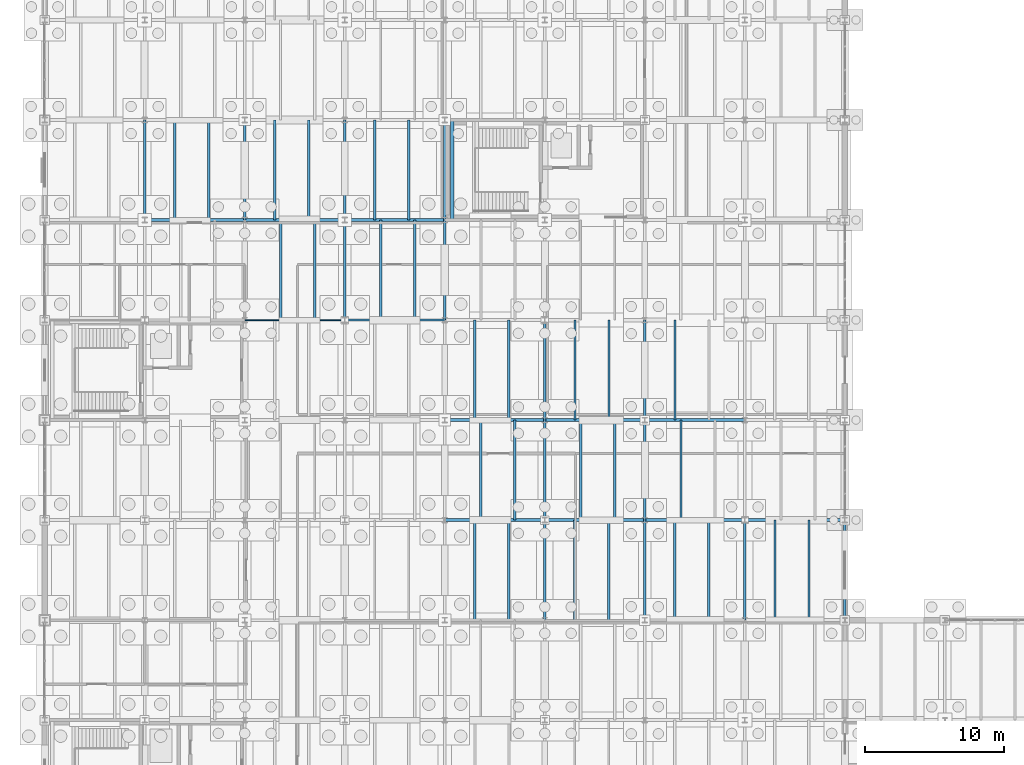
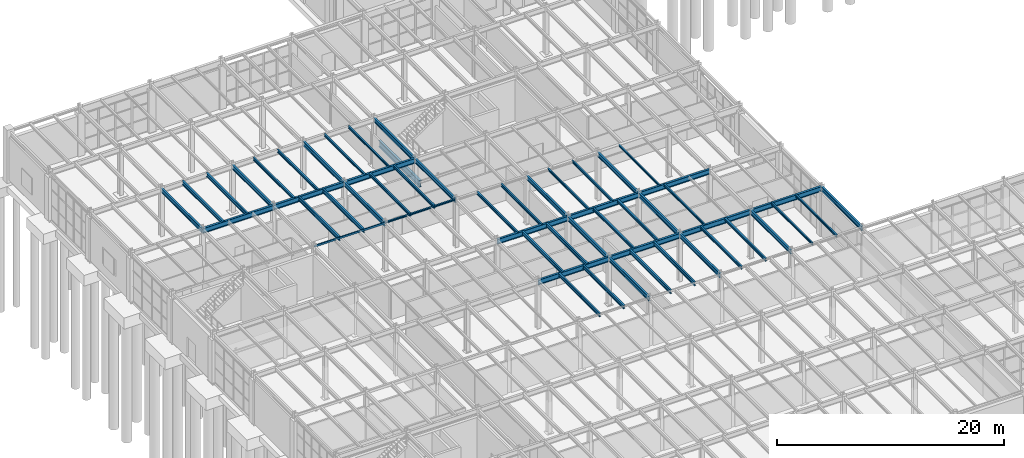
# One storey, part 64 of 293: 55 beams.
"""IFC4 building model written with IfcOpenShell, lengths in metres."""

from ifc_helpers import new_model, si_unit, direction, frame, origin, origin_2d, place, context, subcontext, project, spatial, hollow_rectangle, i_section, extrude, material, material_profile, profile_set, type_object, element, save


model = new_model("IFC4")

# Units and contexts
model_context = context("Model", 3, precision=1e-05, world=origin(), true_north=direction((0.0, 1.0)))
body_context = subcontext(model_context, "Body", "Model", "MODEL_VIEW")
ifc_project = project(units=[si_unit("LENGTHUNIT", "METRE"), si_unit("AREAUNIT", "SQUARE_METRE"), si_unit("VOLUMEUNIT", "CUBIC_METRE"), si_unit("PLANEANGLEUNIT", "RADIAN"), si_unit("MASSUNIT", "GRAM", prefix="KILO")], contexts=[model_context])

# Site, building, storey
site_placement = place(None, origin())
site = spatial("IfcSite", under=ifc_project, at=site_placement, CompositionType="ELEMENT")
building_placement = place(site_placement, origin())
building = spatial("IfcBuilding", under=site, at=building_placement, Name="Kemerveld Promenade Tramway Depot", CompositionType="ELEMENT")
storey_placement = place(building_placement, origin())
storey = spatial("IfcBuildingStorey", under=building, at=storey_placement, Name="L00", CompositionType="ELEMENT", Elevation=0.0)

# Beams
ifc_material = material(Name="Steel S355", Category="steel")
ifc_material_profile_1 = material_profile(ifc_material, i_section(OverallWidth=0.25439453125, OverallDepth=0.6875, WebThickness=0.01318359375, FlangeThickness=0.02099609375, FilletRadius=0.01513671875, at=origin_2d()), Name="686x254x152 UB")
ifc_profile_set_1 = profile_set([ifc_material_profile_1], Name="Steel S355")
beam_type_1 = type_object("IfcBeamType", Name="BM-G03", PredefinedType="BEAM", material=ifc_profile_set_1)
beam_1_placement = place(storey_placement, frame((29.35009765625, 57.60009765625, 2.15625), z_axis=(0.0, 1.0, 0.0), x_axis=(-1.0, 0.0, 0.0)))
element("IfcBeam", 1, at=beam_1_placement, inside=storey, type_object=beam_type_1, Name="BM-HL-ST-03-L00-W", PredefinedType="BEAM", context=body_context, shape_type="SweptSolid", body=[
    extrude(i_section(OverallWidth=0.25439453125, OverallDepth=0.6875, WebThickness=0.01318359375, FlangeThickness=0.02099609375, FilletRadius=0.01513671875, at=origin_2d()), origin(), (0.0, 0.0, 1.0), 7.199951171875),
])
ifc_material_profile_2 = material_profile(ifc_material, i_section(OverallWidth=0.2099609375, OverallDepth=0.53662109375, WebThickness=0.0107421875, FlangeThickness=0.017333984375, FilletRadius=0.0126953125, at=origin_2d()), Name="533x210x101 UB")
ifc_profile_set_2 = profile_set([ifc_material_profile_2], Name="Steel S355")
beam_type_2 = type_object("IfcBeamType", Name="BM-G05", PredefinedType="BEAM", material=ifc_profile_set_2)
for number, where, z_axis, x_axis, name in (
    (2, (28.800048828125, 36.0, 4.881591796875), (1.0, 0.0, 0.0), (0.0, 1.0, 0.0), "BMX-L00-05-06-F"),
    (3, (36.0, 36.0, 4.881591796875), (1.0, 0.0, 0.0), (0.0, 1.0, 0.0), "BMX-L00-06-07-F"),
    (4, (43.199951171875, 36.0, 4.881591796875), (1.0, 0.0, 0.0), (0.0, 1.0, 0.0), "BMX-L00-07-08-F"),
):
    element("IfcBeam", number, at=place(storey_placement, frame(where, z_axis=z_axis, x_axis=x_axis)), inside=storey, type_object=beam_type_2, Name=name, PredefinedType="BEAM", context=body_context, shape_type="SweptSolid", body=[
        extrude(i_section(OverallWidth=0.2099609375, OverallDepth=0.53662109375, WebThickness=0.0107421875, FlangeThickness=0.017333984375, FilletRadius=0.0126953125, at=origin_2d()), origin(), (0.0, 0.0, 1.0), 7.199951171875),
    ])
beam_2_placement = place(storey_placement, frame((50.39990234375, 36.0, 4.881591796875), z_axis=(1.0, 0.0, 0.0), x_axis=(0.0, 1.0, 0.0)))
element("IfcBeam", 5, at=beam_2_placement, inside=storey, type_object=beam_type_2, Name="BMX-L00-08-09-F", PredefinedType="BEAM", context=body_context, shape_type="SweptSolid", body=[
    extrude(i_section(OverallWidth=0.2099609375, OverallDepth=0.53662109375, WebThickness=0.0107421875, FlangeThickness=0.017333984375, FilletRadius=0.0126953125, at=origin_2d()), origin(), (0.0, 0.0, 1.0), 7.2001953125),
])
for number, where, z_axis, x_axis, name in (
    (6, (28.800048828125, 43.199951171875, 4.881591796875), (1.0, 0.0, 0.0), (0.0, 1.0, 0.0), "BMX-L00-05-06-G"),
    (7, (36.0, 43.199951171875, 4.881591796875), (1.0, 0.0, 0.0), (0.0, 1.0, 0.0), "BMX-L00-06-07-G"),
    (8, (43.199951171875, 43.199951171875, 4.881591796875), (1.0, 0.0, 0.0), (0.0, 1.0, 0.0), "BMX-L00-07-08-G"),
    (9, (7.199951171875, 57.60009765625, 4.881591796875), (1.0, 0.0, 0.0), (0.0, 1.0, 0.0), "BMX-L00-02-03-J"),
):
    element("IfcBeam", number, at=place(storey_placement, frame(where, z_axis=z_axis, x_axis=x_axis)), inside=storey, type_object=beam_type_2, Name=name, PredefinedType="BEAM", context=body_context, shape_type="SweptSolid", body=[
        extrude(i_section(OverallWidth=0.2099609375, OverallDepth=0.53662109375, WebThickness=0.0107421875, FlangeThickness=0.017333984375, FilletRadius=0.0126953125, at=origin_2d()), origin(), (0.0, 0.0, 1.0), 7.199951171875),
    ])
beam_3_placement = place(storey_placement, frame((14.39990234375, 57.60009765625, 4.881591796875), z_axis=(1.0, 0.0, 0.0), x_axis=(0.0, 1.0, 0.0)))
element("IfcBeam", 10, at=beam_3_placement, inside=storey, type_object=beam_type_2, Name="BMX-L00-03-04-J", PredefinedType="BEAM", context=body_context, shape_type="SweptSolid", body=[
    extrude(i_section(OverallWidth=0.2099609375, OverallDepth=0.53662109375, WebThickness=0.0107421875, FlangeThickness=0.017333984375, FilletRadius=0.0126953125, at=origin_2d()), origin(), (0.0, 0.0, 1.0), 7.2001953125),
])
beam_4_placement = place(storey_placement, frame((21.60009765625, 57.60009765625, 4.881591796875), z_axis=(1.0, 0.0, 0.0), x_axis=(0.0, 1.0, 0.0)))
element("IfcBeam", 11, at=beam_4_placement, inside=storey, type_object=beam_type_2, Name="BMX-L00-04-05-J", PredefinedType="BEAM", context=body_context, shape_type="SweptSolid", body=[
    extrude(i_section(OverallWidth=0.2099609375, OverallDepth=0.53662109375, WebThickness=0.0107421875, FlangeThickness=0.017333984375, FilletRadius=0.0126953125, at=origin_2d()), origin(), (0.0, 0.0, 1.0), 7.199951171875),
])
ifc_material_profile_3 = material_profile(ifc_material, i_section(OverallWidth=0.19140625, OverallDepth=0.4599609375, WebThickness=0.010009765625, FlangeThickness=0.01611328125, FilletRadius=0.01025390625, at=origin_2d()), Name="457x191x82 UB")
ifc_profile_set_3 = profile_set([ifc_material_profile_3], Name="Steel S355")
beam_type_3 = type_object("IfcBeamType", Name="BM-G06", PredefinedType="BEAM", material=ifc_profile_set_3)
for number, where, z_axis, x_axis, name in (
    (12, (7.199951171875, 57.60009765625, 4.919921875), (0.0, 1.0, 0.0), (-1.0, 0.0, 0.0), "BMY-L00-02-J-K"),
    (13, (14.39990234375, 57.60009765625, 4.919921875), (0.0, 1.0, 0.0), (-1.0, 0.0, 0.0), "BMY-L00-03-J-K"),
):
    element("IfcBeam", number, at=place(storey_placement, frame(where, z_axis=z_axis, x_axis=x_axis)), inside=storey, type_object=beam_type_3, Name=name, PredefinedType="BEAM", context=body_context, shape_type="SweptSolid", body=[
        extrude(i_section(OverallWidth=0.19140625, OverallDepth=0.4599609375, WebThickness=0.010009765625, FlangeThickness=0.01611328125, FilletRadius=0.01025390625, at=origin_2d()), origin(), (0.0, 0.0, 1.0), 7.199951171875),
    ])
beam_5_placement = place(storey_placement, frame((21.60009765625, 50.39990234375, 4.919921875), z_axis=(0.0, 1.0, 0.0), x_axis=(-1.0, 0.0, 0.0)))
element("IfcBeam", 14, at=beam_5_placement, inside=storey, type_object=beam_type_3, Name="BMY-L00-04-H-J", PredefinedType="BEAM", context=body_context, shape_type="SweptSolid", body=[
    extrude(i_section(OverallWidth=0.19140625, OverallDepth=0.4599609375, WebThickness=0.010009765625, FlangeThickness=0.01611328125, FilletRadius=0.01025390625, at=origin_2d()), origin(), (0.0, 0.0, 1.0), 7.2001953125),
])
beam_6_placement = place(storey_placement, frame((21.60009765625, 57.60009765625, 4.919921875), z_axis=(0.0, 1.0, 0.0), x_axis=(-1.0, 0.0, 0.0)))
element("IfcBeam", 15, at=beam_6_placement, inside=storey, type_object=beam_type_3, Name="BMY-L00-04-J-K", PredefinedType="BEAM", context=body_context, shape_type="SweptSolid", body=[
    extrude(i_section(OverallWidth=0.19140625, OverallDepth=0.4599609375, WebThickness=0.010009765625, FlangeThickness=0.01611328125, FilletRadius=0.01025390625, at=origin_2d()), origin(), (0.0, 0.0, 1.0), 7.199951171875),
])
beam_7_placement = place(storey_placement, frame((28.800048828125, 50.39990234375, 4.919921875), z_axis=(0.0, 1.0, 0.0), x_axis=(-1.0, 0.0, 0.0)))
element("IfcBeam", 16, at=beam_7_placement, inside=storey, type_object=beam_type_3, Name="BMY-L00-05-H-J", PredefinedType="BEAM", context=body_context, shape_type="SweptSolid", body=[
    extrude(i_section(OverallWidth=0.19140625, OverallDepth=0.4599609375, WebThickness=0.010009765625, FlangeThickness=0.01611328125, FilletRadius=0.01025390625, at=origin_2d()), origin(), (0.0, 0.0, 1.0), 7.2001953125),
])
for number, where, z_axis, x_axis, name in (
    (17, (28.800048828125, 57.60009765625, 4.919921875), (0.0, 1.0, 0.0), (-1.0, 0.0, 0.0), "BMY-L00-05-J-K"),
    (18, (36.0, 28.800048828125, 4.919921875), (0.0, 1.0, 0.0), (-1.0, 0.0, 0.0), "BMY-L00-06-E-F"),
    (19, (36.0, 36.0, 4.919921875), (0.0, 1.0, 0.0), (-1.0, 0.0, 0.0), "BMY-L00-06-F-G"),
    (20, (36.0, 43.199951171875, 4.919921875), (0.0, 1.0, 0.0), (-1.0, 0.0, 0.0), "BMY-L00-06-G-H"),
    (21, (43.199951171875, 28.800048828125, 4.919921875), (0.0, 1.0, 0.0), (-1.0, 0.0, 0.0), "BMY-L00-07-E-F"),
    (22, (43.199951171875, 36.0, 4.919921875), (0.0, 1.0, 0.0), (-1.0, 0.0, 0.0), "BMY-L00-07-F-G"),
    (23, (43.199951171875, 43.199951171875, 4.919921875), (0.0, 1.0, 0.0), (-1.0, 0.0, 0.0), "BMY-L00-07-G-H"),
    (24, (50.39990234375, 28.800048828125, 4.919921875), (0.0, 1.0, 0.0), (-1.0, 0.0, 0.0), "BMY-L00-08-E-F"),
    (25, (57.60009765625, 28.800048828125, 4.919921875), (0.0, 1.0, 0.0), (-1.0, 0.0, 0.0), "BMY-L00-09-E-F"),
):
    element("IfcBeam", number, at=place(storey_placement, frame(where, z_axis=z_axis, x_axis=x_axis)), inside=storey, type_object=beam_type_3, Name=name, PredefinedType="BEAM", context=body_context, shape_type="SweptSolid", body=[
        extrude(i_section(OverallWidth=0.19140625, OverallDepth=0.4599609375, WebThickness=0.010009765625, FlangeThickness=0.01611328125, FilletRadius=0.01025390625, at=origin_2d()), origin(), (0.0, 0.0, 1.0), 7.199951171875),
    ])
ifc_material_profile_4 = material_profile(ifc_material, i_section(OverallWidth=0.165771484375, OverallDepth=0.306640625, WebThickness=0.006591796875, FlangeThickness=0.01171875, FilletRadius=0.0087890625, at=origin_2d()), Name="305x165x46 UB")
ifc_profile_set_4 = profile_set([ifc_material_profile_4], Name="Steel S355")
beam_type_4 = type_object("IfcBeamType", Name="BM-J01", PredefinedType="JOIST", material=ifc_profile_set_4)
for number, where, z_axis, x_axis, name in (
    (26, (16.56005859375, 57.60009765625, 4.99658203125), (0.0, 1.0, 0.0), (-1.0, 0.0, 0.0), "JST-L00-03-J-1"),
    (27, (19.008056640625, 57.60009765625, 4.99658203125), (0.0, 1.0, 0.0), (-1.0, 0.0, 0.0), "JST-L00-03-J-2"),
):
    element("IfcBeam", number, at=place(storey_placement, frame(where, z_axis=z_axis, x_axis=x_axis)), inside=storey, type_object=beam_type_4, Name=name, PredefinedType="JOIST", context=body_context, shape_type="SweptSolid", body=[
        extrude(i_section(OverallWidth=0.165771484375, OverallDepth=0.306640625, WebThickness=0.006591796875, FlangeThickness=0.01171875, FilletRadius=0.0087890625, at=origin_2d()), origin(), (0.0, 0.0, 1.0), 7.199951171875),
    ])
for number, where, z_axis, x_axis, name in (
    (28, (24.19189453125, 50.39990234375, 4.99658203125), (0.0, 1.0, 0.0), (-1.0, 0.0, 0.0), "JST-L00-04-H-1"),
    (29, (26.639892578125, 50.39990234375, 4.99658203125), (0.0, 1.0, 0.0), (-1.0, 0.0, 0.0), "JST-L00-04-H-2"),
):
    element("IfcBeam", number, at=place(storey_placement, frame(where, z_axis=z_axis, x_axis=x_axis)), inside=storey, type_object=beam_type_4, Name=name, PredefinedType="JOIST", context=body_context, shape_type="SweptSolid", body=[
        extrude(i_section(OverallWidth=0.165771484375, OverallDepth=0.306640625, WebThickness=0.006591796875, FlangeThickness=0.01171875, FilletRadius=0.0087890625, at=origin_2d()), origin(), (0.0, 0.0, 1.0), 7.2001953125),
    ])
for number, where, z_axis, x_axis, name in (
    (30, (30.9599609375, 43.199951171875, 4.99658203125), (0.0, 1.0, 0.0), (-1.0, 0.0, 0.0), "JST-L00-05-G-1"),
    (31, (33.407958984375, 43.199951171875, 4.99658203125), (0.0, 1.0, 0.0), (-1.0, 0.0, 0.0), "JST-L00-05-G-2"),
    (32, (38.592041015625, 36.0, 4.99658203125), (0.0, 1.0, 0.0), (-1.0, 0.0, 0.0), "JST-L00-06-F-1"),
    (33, (41.0400390625, 36.0, 4.99658203125), (0.0, 1.0, 0.0), (-1.0, 0.0, 0.0), "JST-L00-06-F-2"),
    (34, (45.360107421875, 28.800048828125, 4.99658203125), (0.0, 1.0, 0.0), (-1.0, 0.0, 0.0), "JST-L00-07-E-1"),
    (35, (47.80810546875, 28.800048828125, 4.99658203125), (0.0, 1.0, 0.0), (-1.0, 0.0, 0.0), "JST-L00-07-E-2"),
):
    element("IfcBeam", number, at=place(storey_placement, frame(where, z_axis=z_axis, x_axis=x_axis)), inside=storey, type_object=beam_type_4, Name=name, PredefinedType="JOIST", context=body_context, shape_type="SweptSolid", body=[
        extrude(i_section(OverallWidth=0.165771484375, OverallDepth=0.306640625, WebThickness=0.006591796875, FlangeThickness=0.01171875, FilletRadius=0.0087890625, at=origin_2d()), origin(), (0.0, 0.0, 1.0), 7.199951171875),
    ])
ifc_material_profile_5 = material_profile(ifc_material, i_section(OverallWidth=0.146484375, OverallDepth=0.256103515625, WebThickness=0.00634765625, FlangeThickness=0.010986328125, FilletRadius=0.007568359375, at=origin_2d()), Name="254x146x37 UB")
ifc_profile_set_5 = profile_set([ifc_material_profile_5], Name="Steel S355")
beam_type_5 = type_object("IfcBeamType", Name="BM-J02", PredefinedType="JOIST", material=ifc_profile_set_5)
for number, where, z_axis, x_axis, name in (
    (36, (23.760009765625, 57.60009765625, 5.02197265625), (0.0, 1.0, 0.0), (-1.0, 0.0, 0.0), "JST-L00-04-J-1"),
    (37, (26.2080078125, 57.60009765625, 5.02197265625), (0.0, 1.0, 0.0), (-1.0, 0.0, 0.0), "JST-L00-04-J-2"),
    (38, (38.159912109375, 43.199951171875, 5.02197265625), (0.0, 1.0, 0.0), (-1.0, 0.0, 0.0), "JST-L00-06-G-1"),
    (39, (40.60791015625, 43.199951171875, 5.02197265625), (0.0, 1.0, 0.0), (-1.0, 0.0, 0.0), "JST-L00-06-G-2"),
    (40, (45.7919921875, 36.0, 5.02197265625), (0.0, 1.0, 0.0), (-1.0, 0.0, 0.0), "JST-L00-07-F-1"),
    (41, (52.56005859375, 28.800048828125, 5.02197265625), (0.0, 1.0, 0.0), (-1.0, 0.0, 0.0), "JST-L00-08-E-1"),
    (42, (55.008056640625, 28.800048828125, 5.02197265625), (0.0, 1.0, 0.0), (-1.0, 0.0, 0.0), "JST-L00-08-E-2"),
):
    element("IfcBeam", number, at=place(storey_placement, frame(where, z_axis=z_axis, x_axis=x_axis)), inside=storey, type_object=beam_type_5, Name=name, PredefinedType="JOIST", context=body_context, shape_type="SweptSolid", body=[
        extrude(i_section(OverallWidth=0.146484375, OverallDepth=0.256103515625, WebThickness=0.00634765625, FlangeThickness=0.010986328125, FilletRadius=0.007568359375, at=origin_2d()), origin(), (0.0, 0.0, 1.0), 7.199951171875),
    ])
ifc_material_profile_6 = material_profile(ifc_material, i_section(OverallWidth=0.13330078125, OverallDepth=0.203125, WebThickness=0.005615234375, FlangeThickness=0.0078125, FilletRadius=0.007568359375, at=origin_2d()), Name="203x133x25 UB")
ifc_profile_set_6 = profile_set([ifc_material_profile_6], Name="Steel S355")
beam_type_6 = type_object("IfcBeamType", Name="BM-J03", PredefinedType="JOIST", material=ifc_profile_set_6)
beam_8_placement = place(storey_placement, frame((45.360107421875, 43.199951171875, 5.04833984375), z_axis=(0.0, 1.0, 0.0), x_axis=(-1.0, 0.0, 0.0)))
element("IfcBeam", 43, at=beam_8_placement, inside=storey, type_object=beam_type_6, Name="JST-L00-07-G-1", PredefinedType="JOIST", context=body_context, shape_type="SweptSolid", body=[
    extrude(i_section(OverallWidth=0.13330078125, OverallDepth=0.203125, WebThickness=0.005615234375, FlangeThickness=0.0078125, FilletRadius=0.007568359375, at=origin_2d()), origin(), (0.0, 0.0, 1.0), 7.199951171875),
])
ifc_material_profile_7 = material_profile(ifc_material, i_section(OverallWidth=0.172119140625, OverallDepth=0.35791015625, WebThickness=0.008056640625, FlangeThickness=0.012939453125, FilletRadius=0.01025390625, at=origin_2d()), Name="356x171x57 UB")
ifc_profile_set_7 = profile_set([ifc_material_profile_7], Name="Steel S355")
beam_type_7 = type_object("IfcBeamType", Name="BM-J04", PredefinedType="JOIST", material=ifc_profile_set_7)
for number, where, z_axis, x_axis, name in (
    (44, (30.9599609375, 28.800048828125, 4.970947265625), (0.0, 1.0, 0.0), (-1.0, 0.0, 0.0), "JST-L00-05-E-1"),
    (45, (33.407958984375, 28.800048828125, 4.970947265625), (0.0, 1.0, 0.0), (-1.0, 0.0, 0.0), "JST-L00-05-E-2"),
):
    element("IfcBeam", number, at=place(storey_placement, frame(where, z_axis=z_axis, x_axis=x_axis)), inside=storey, type_object=beam_type_7, Name=name, PredefinedType="JOIST", context=body_context, shape_type="SweptSolid", body=[
        extrude(i_section(OverallWidth=0.172119140625, OverallDepth=0.35791015625, WebThickness=0.008056640625, FlangeThickness=0.012939453125, FilletRadius=0.01025390625, at=origin_2d()), origin(), (0.0, 0.0, 1.0), 7.199951171875),
    ])
ifc_material_profile_8 = material_profile(ifc_material, i_section(OverallWidth=0.1787109375, OverallDepth=0.409423828125, WebThickness=0.0087890625, FlangeThickness=0.014404296875, FilletRadius=0.01025390625, at=origin_2d()), Name="406x178x67 UB")
ifc_profile_set_8 = profile_set([ifc_material_profile_8], Name="Steel S355")
beam_type_8 = type_object("IfcBeamType", Name="BM-J05", PredefinedType="JOIST", material=ifc_profile_set_8)
for number, where, z_axis, x_axis, name in (
    (46, (9.360107421875, 57.60009765625, 4.9453125), (0.0, 1.0, 0.0), (-1.0, 0.0, 0.0), "JST-L00-02-J-1"),
    (47, (11.80810546875, 57.60009765625, 4.9453125), (0.0, 1.0, 0.0), (-1.0, 0.0, 0.0), "JST-L00-02-J-2"),
):
    element("IfcBeam", number, at=place(storey_placement, frame(where, z_axis=z_axis, x_axis=x_axis)), inside=storey, type_object=beam_type_8, Name=name, PredefinedType="JOIST", context=body_context, shape_type="SweptSolid", body=[
        extrude(i_section(OverallWidth=0.1787109375, OverallDepth=0.409423828125, WebThickness=0.0087890625, FlangeThickness=0.014404296875, FilletRadius=0.01025390625, at=origin_2d()), origin(), (0.0, 0.0, 1.0), 7.199951171875),
    ])
for number, where, z_axis, x_axis, name in (
    (48, (16.991943359375, 50.39990234375, 4.9453125), (0.0, 1.0, 0.0), (-1.0, 0.0, 0.0), "JST-L00-03-H-1"),
    (49, (19.43994140625, 50.39990234375, 4.9453125), (0.0, 1.0, 0.0), (-1.0, 0.0, 0.0), "JST-L00-03-H-2"),
):
    element("IfcBeam", number, at=place(storey_placement, frame(where, z_axis=z_axis, x_axis=x_axis)), inside=storey, type_object=beam_type_8, Name=name, PredefinedType="JOIST", context=body_context, shape_type="SweptSolid", body=[
        extrude(i_section(OverallWidth=0.1787109375, OverallDepth=0.409423828125, WebThickness=0.0087890625, FlangeThickness=0.014404296875, FilletRadius=0.01025390625, at=origin_2d()), origin(), (0.0, 0.0, 1.0), 7.2001953125),
    ])
for number, where, z_axis, x_axis, name in (
    (50, (31.39208984375, 36.0, 4.9453125), (0.0, 1.0, 0.0), (-1.0, 0.0, 0.0), "JST-L00-05-F-1"),
    (51, (33.840087890625, 36.0, 4.9453125), (0.0, 1.0, 0.0), (-1.0, 0.0, 0.0), "JST-L00-05-F-2"),
    (52, (38.159912109375, 28.800048828125, 4.9453125), (0.0, 1.0, 0.0), (-1.0, 0.0, 0.0), "JST-L00-06-E-1"),
    (53, (40.60791015625, 28.800048828125, 4.9453125), (0.0, 1.0, 0.0), (-1.0, 0.0, 0.0), "JST-L00-06-E-2"),
):
    element("IfcBeam", number, at=place(storey_placement, frame(where, z_axis=z_axis, x_axis=x_axis)), inside=storey, type_object=beam_type_8, Name=name, PredefinedType="JOIST", context=body_context, shape_type="SweptSolid", body=[
        extrude(i_section(OverallWidth=0.1787109375, OverallDepth=0.409423828125, WebThickness=0.0087890625, FlangeThickness=0.014404296875, FilletRadius=0.01025390625, at=origin_2d()), origin(), (0.0, 0.0, 1.0), 7.199951171875),
    ])
ifc_material_profile_9 = material_profile(ifc_material, hollow_rectangle(XDim=0.10009765625, YDim=0.199951171875, WallThickness=0.008056640625, InnerFilletRadius=0.00390625, OuterFilletRadius=0.011962890625, at=origin_2d()), Name="200x100x8.0 RHS")
ifc_profile_set_9 = profile_set([ifc_material_profile_9], Name="Steel S355")
beam_type_9 = type_object("IfcBeamType", Name="BM-LN1", PredefinedType="LINTEL", material=ifc_profile_set_9)
beam_9_placement = place(storey_placement, frame((14.39990234375, 50.39990234375, 5.050048828125), z_axis=(1.0, 0.0, 0.0), x_axis=(0.0, 1.0, 0.0)))
element("IfcBeam", 54, at=beam_9_placement, inside=storey, type_object=beam_type_9, Name="BMX-L00-03-04-H", PredefinedType="LINTEL", context=body_context, shape_type="SweptSolid", body=[
    extrude(hollow_rectangle(XDim=0.10009765625, YDim=0.199951171875, WallThickness=0.008056640625, InnerFilletRadius=0.00390625, OuterFilletRadius=0.011962890625, at=origin_2d()), origin(), (0.0, 0.0, 1.0), 7.2001953125),
])
ifc_material_profile_10 = material_profile(ifc_material, i_section(OverallWidth=0.154296875, OverallDepth=0.161865234375, WebThickness=0.008056640625, FlangeThickness=0.011474609375, FilletRadius=0.007568359375, at=origin_2d()), Name="152x152x37 UC")
ifc_profile_set_10 = profile_set([ifc_material_profile_10], Name="Steel S355")
beam_type_10 = type_object("IfcBeamType", Name="BM-LN2", PredefinedType="LINTEL", material=ifc_profile_set_10)
beam_10_placement = place(storey_placement, frame((21.60009765625, 50.39990234375, 5.069091796875), z_axis=(1.0, 0.0, 0.0), x_axis=(0.0, 1.0, 0.0)))
element("IfcBeam", 55, at=beam_10_placement, inside=storey, type_object=beam_type_10, Name="BMX-L00-04-05-H", PredefinedType="LINTEL", context=body_context, shape_type="SweptSolid", body=[
    extrude(i_section(OverallWidth=0.154296875, OverallDepth=0.161865234375, WebThickness=0.008056640625, FlangeThickness=0.011474609375, FilletRadius=0.007568359375, at=origin_2d()), origin(), (0.0, 0.0, 1.0), 7.199951171875),
])

save(model, "model.ifc")
